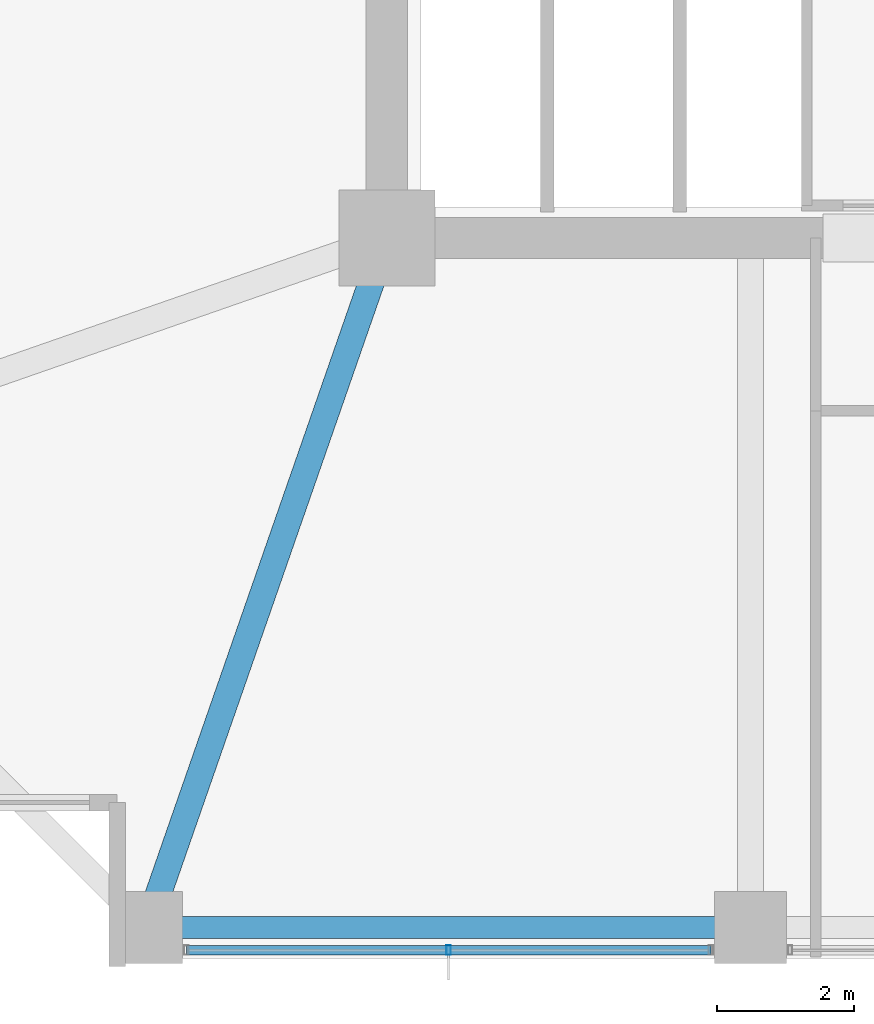
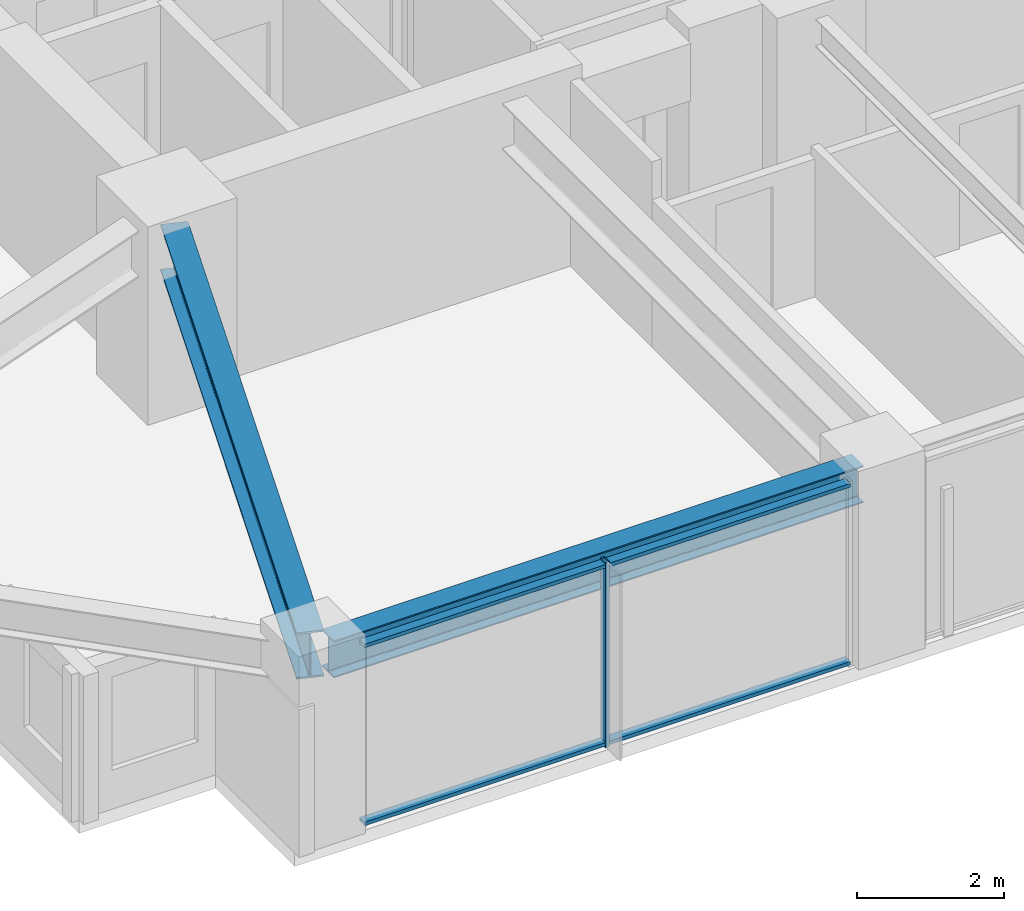
# One storey, part 3 of 36: 3 members, 2 beams, 1 element without a shape of its own.
"""IFC4 building model written with IfcOpenShell, lengths in metres."""

from ifc_helpers import new_model, si_unit, direction, frame, origin, origin_2d, place, context, subcontext, project, spatial, hollow_rectangle, i_section, extrude, material, material_profile, profile_set, type_object, element, aggregate, save


model = new_model("IFC4")

# Units and contexts
model_context = context("Model", 3, precision=1e-05, world=origin(), true_north=direction((0.0, 1.0)))
body_context = subcontext(model_context, "Body", "Model", "MODEL_VIEW")
ifc_project = project(units=[si_unit("LENGTHUNIT", "METRE"), si_unit("AREAUNIT", "SQUARE_METRE"), si_unit("VOLUMEUNIT", "CUBIC_METRE"), si_unit("PLANEANGLEUNIT", "RADIAN"), si_unit("MASSUNIT", "GRAM", prefix="KILO")], contexts=[model_context])

# Site, building, storey
site_placement = place(None, origin())
site = spatial("IfcSite", under=ifc_project, at=site_placement, CompositionType="ELEMENT")
building_placement = place(site_placement, origin())
building = spatial("IfcBuilding", under=site, at=building_placement, Name="Kolvaren Belvedere", CompositionType="ELEMENT")
storey_placement = place(building_placement, frame((0.0, 0.0, 95.300048828125)))
storey = spatial("IfcBuildingStorey", under=building, at=storey_placement, Name="L27", CompositionType="ELEMENT", Elevation=95.300048828125)

# Beams
ifc_material_1 = material(Name="Structural steel ASTM A992 Grade 50", Category="steel")
ifc_material_profile_1 = material_profile(ifc_material_1, i_section(OverallWidth=0.381103515625, OverallDepth=0.77294921875, WebThickness=0.0166015625, FlangeThickness=0.027099609375, FilletRadius=0.02392578125, at=origin_2d()), Name="W30X173")
ifc_profile_set_1 = profile_set([ifc_material_profile_1], Name="Structural steel ASTM A992 Grade 50")
beam_type_1 = type_object("IfcBeamType", Name="BM-GIRD-W30X173", PredefinedType="BEAM", material=ifc_profile_set_1)
beam_1_placement = place(storey_placement, frame((-10.080810546875, -10.41943359375, 2.693359375), z_axis=(-0.328880894453, -0.944371408538, 0.0), x_axis=(0.944371408538, -0.328880894453, 0.0)))
element("IfcBeam", 1, at=beam_1_placement, inside=storey, type_object=beam_type_1, Name="L27 Corner Core-to-Perimeter Girder CC1-S1", PredefinedType="BEAM", context=body_context, shape_type="SweptSolid", body=[
    extrude(i_section(OverallWidth=0.381103515625, OverallDepth=0.77294921875, WebThickness=0.0166015625, FlangeThickness=0.027099609375, FilletRadius=0.02392578125, at=origin_2d()), origin(), (0.0, 0.0, 1.0), 9.882080078125),
])
ifc_material_2 = material(Name="Structural steel ASTM A992 Grade 50", Category="steel")
ifc_material_profile_2 = material_profile(ifc_material_2, i_section(OverallWidth=0.324951171875, OverallDepth=0.615966796875, WebThickness=0.013916015625, FlangeThickness=0.021484375, FilletRadius=0.02001953125, at=origin_2d()), Name="W24X117")
ifc_profile_set_2 = profile_set([ifc_material_profile_2], Name="Structural steel ASTM A992 Grade 50")
beam_type_2 = type_object("IfcBeamType", Name="BM-SPAN-W24X117", PredefinedType="SPANDREL", material=ifc_profile_set_2)
beam_2_placement = place(storey_placement, frame((-13.163818359375, -19.949951171875, 2.77197265625), z_axis=(1.0, 0.0, 0.0), x_axis=(0.0, 1.0, 0.0)))
element("IfcBeam", 2, at=beam_2_placement, inside=storey, type_object=beam_type_2, Name="L27 Perimeter Spandrel S1-S2", PredefinedType="SPANDREL", context=body_context, shape_type="SweptSolid", body=[
    extrude(i_section(OverallWidth=0.324951171875, OverallDepth=0.615966796875, WebThickness=0.013916015625, FlangeThickness=0.021484375, FilletRadius=0.02001953125, at=origin_2d()), origin(), (0.0, 0.0, 1.0), 8.32763671875),
])

# Curtain wall, members
ifc_material_3 = material(Name="Anodised pale-metal aluminium AA 6063-T6", Category="aluminium")
curtain_wall_type = type_object("IfcCurtainWallType", Name="CW-Z2-MID", PredefinedType="NOTDEFINED", material=ifc_material_3)
curtain_wall_placement = place(storey_placement, origin())
curtain_wall = element("IfcCurtainWall", 3, at=curtain_wall_placement, inside=storey, type_object=curtain_wall_type, Name="L27 Unitised Curtain Wall FCW-L27-S-B3", PredefinedType="NOTDEFINED")
ifc_material_4 = material(Name="Anodised pale-metal aluminium AA 6063-T6", Category="aluminium")
ifc_material_profile_3 = material_profile(ifc_material_4, hollow_rectangle(XDim=0.06494140625, YDim=0.139892578125, WallThickness=0.00390625, at=origin_2d()), Name="ALU-MUL-140X65")
ifc_profile_set_3 = profile_set([ifc_material_profile_3], Name="Anodised pale-metal aluminium AA 6063-T6")
member_type_1 = type_object("IfcMemberType", Name="CW-MUL-140", PredefinedType="MULLION", material=ifc_profile_set_3)
member_1_placement = place(storey_placement, frame((-9.0, -20.280029296875, 0.0), z_axis=(0.0, 0.0, 1.0), x_axis=(1.0, 0.0, 0.0)))
member_1 = element("IfcMember", 4, at=member_1_placement, type_object=member_type_1, Name="FCW-L27-S-B3 Unitised Mullion 2", PredefinedType="MULLION", context=body_context, shape_type="SweptSolid", body=[
    extrude(hollow_rectangle(XDim=0.06494140625, YDim=0.139892578125, WallThickness=0.00390625, at=origin_2d()), origin(), (0.0, 0.0, 1.0), 3.079833984375),
])
ifc_material_5 = material(Name="Anodised pale-metal aluminium AA 6063-T6", Category="aluminium")
ifc_material_profile_4 = material_profile(ifc_material_5, hollow_rectangle(XDim=0.06005859375, YDim=0.139892578125, WallThickness=0.00390625, at=origin_2d()), Name="ALU-TRN-140X60")
ifc_profile_set_4 = profile_set([ifc_material_profile_4], Name="Anodised pale-metal aluminium AA 6063-T6")
member_type_2 = type_object("IfcMemberType", Name="CW-TRN-140", PredefinedType="USERDEFINED", material=ifc_profile_set_4)
member_2_placement = place(storey_placement, frame((-5.177490234375, -20.280029296875, 0.06005859375), z_axis=(-1.0, 0.0, 0.0), x_axis=(0.0, 0.0, 1.0)))
member_2 = element("IfcMember", 5, at=member_2_placement, type_object=member_type_2, Name="FCW-L27-S-B3 Sill Transom", ObjectType="TRANSOM", PredefinedType="USERDEFINED", context=body_context, shape_type="SweptSolid", body=[
    extrude(hollow_rectangle(XDim=0.06005859375, YDim=0.139892578125, WallThickness=0.00390625, at=origin_2d()), origin(), (0.0, 0.0, 1.0), 7.64501953125),
])
member_3_placement = place(storey_placement, frame((-5.177490234375, -20.280029296875, 3.02001953125), z_axis=(-1.0, 0.0, 0.0), x_axis=(0.0, 0.0, 1.0)))
member_3 = element("IfcMember", 6, at=member_3_placement, type_object=member_type_2, Name="FCW-L27-S-B3 Head Transom", ObjectType="TRANSOM", PredefinedType="USERDEFINED", context=body_context, shape_type="SweptSolid", body=[
    extrude(hollow_rectangle(XDim=0.06005859375, YDim=0.139892578125, WallThickness=0.00390625, at=origin_2d()), origin(), (0.0, 0.0, 1.0), 7.64501953125),
])
aggregate(curtain_wall, [member_1, member_2, member_3])

save(model, "model.ifc")
